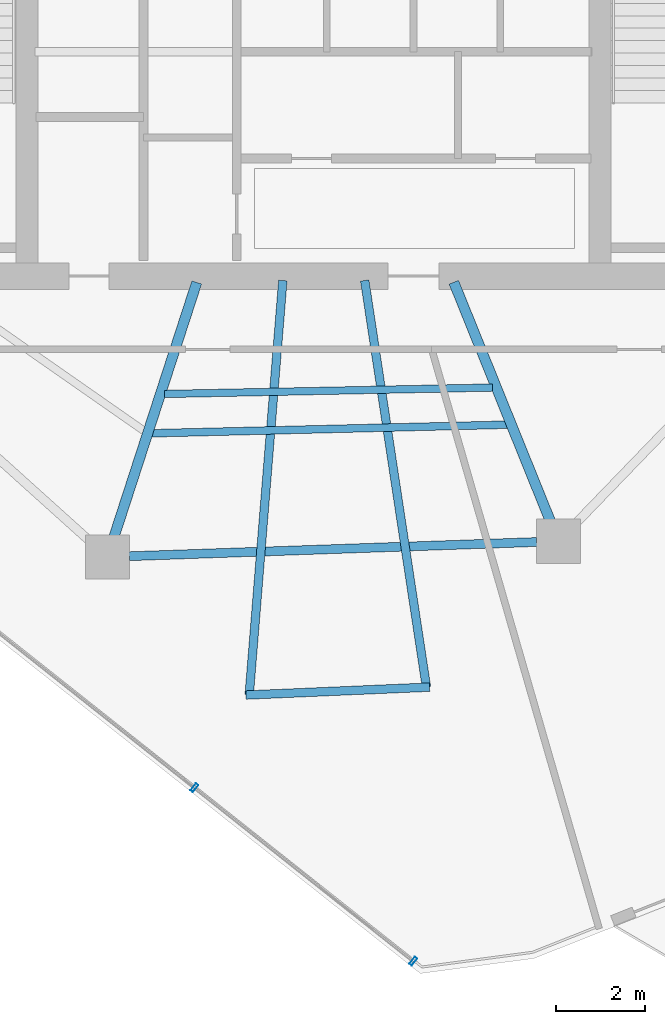
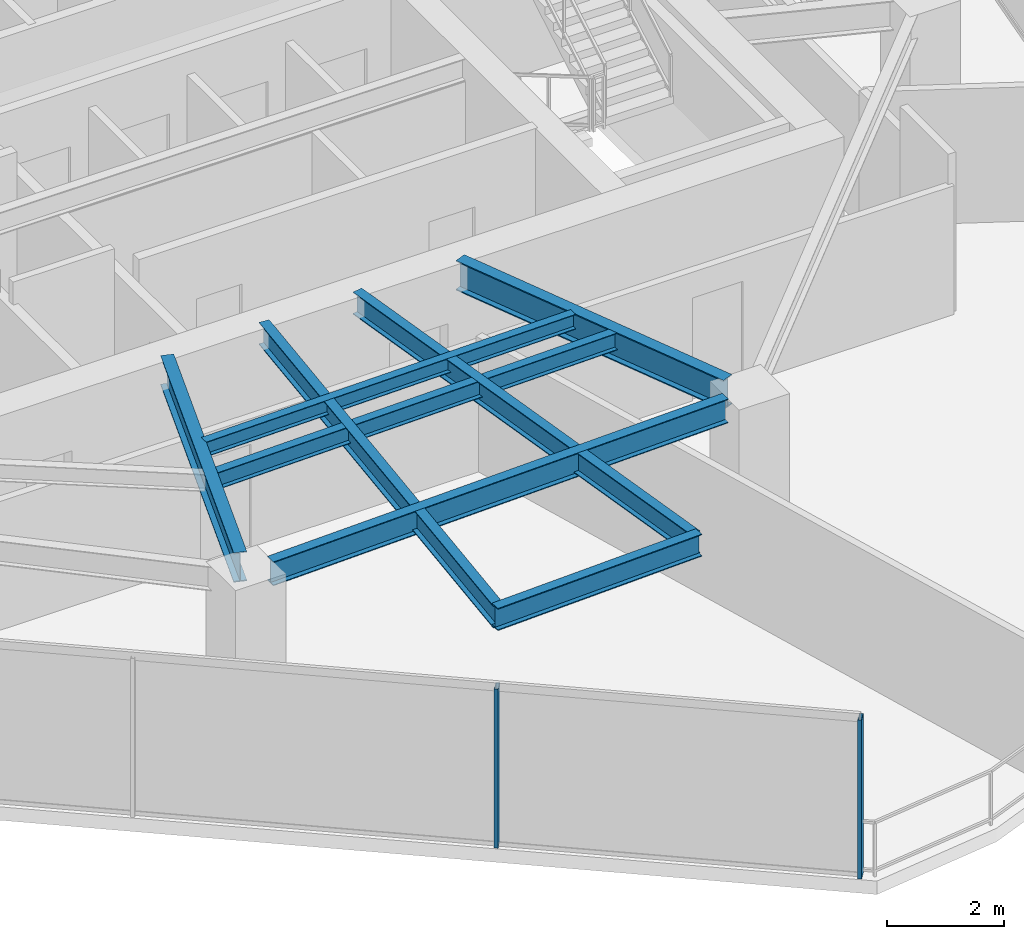
# One storey, part 4 of 20: 8 beams, 2 members, 1 element without a shape of its own.
"""IFC4 building model written with IfcOpenShell, lengths in metres."""

import ifcopenshell
import ifcopenshell.guid

model = None  # the IFC model being written
_history = None  # IfcOwnerHistory: only IFC2X3 demands one
_inside = {}  # id of a spatial element -> (the spatial element, [elements in it])
_under = {}  # id of a project, library or spatial element -> (it, [spatial elements below it])
_declared = {}  # id of a project -> (the project, [libraries it declares])
_typed = {}  # id of a type object -> (the type object, [elements of that type])
_made_of = {}  # id of a material, layer set ... -> (it, [elements and type objects made of it])


def new_model(schema):
    """Start an empty IFC model of exactly this schema.

    Asked for "IFC4X3", IfcOpenShell would pick the latest addendum, in which some entities
    have other attributes; the version numbers below select the first issue.
    IFC2X3 requires an IfcOwnerHistory on every rooted entity: one is made here for all.
    """
    global model, _history
    if schema == "IFC4X3":
        model = ifcopenshell.file(schema_version=(4, 3, 0, 0))
    else:
        model = ifcopenshell.file(schema=schema)
    _inside.clear()
    _under.clear()
    _declared.clear()
    _typed.clear()
    _made_of.clear()
    _history = None
    if model.schema == "IFC2X3":
        org = make("IfcOrganization", Name="unknown")
        user = make(
            "IfcPersonAndOrganization",
            ThePerson=make("IfcPerson", FamilyName="unknown"),
            TheOrganization=org,
        )
        app = make(
            "IfcApplication",
            ApplicationDeveloper=org,
            Version="unknown",
            ApplicationFullName="unknown",
            ApplicationIdentifier="unknown",
        )
        _history = make(
            "IfcOwnerHistory",
            OwningUser=user,
            OwningApplication=app,
            ChangeAction="ADDED",
            CreationDate=0,
        )
    return model


def make(cls, **values):
    """One entity of the class cls with the attributes given. An attribute that is None is left unset."""
    return model.create_entity(
        cls, **{name: value for name, value in values.items() if value is not None}
    )


def rooted(cls, **values):
    """An entity with a GlobalId (a new one), such as an element, a storey or a relation."""
    return make(cls, GlobalId=ifcopenshell.guid.new(), OwnerHistory=_history, **values)


def si_unit(unit_type, name, prefix=None):
    """IfcSIUnit, for example si_unit("LENGTHUNIT", "METRE", prefix="MILLI")."""
    return make("IfcSIUnit", UnitType=unit_type, Prefix=prefix, Name=name)


def assignment(units):
    """IfcUnitAssignment: the units of a project."""
    return None if units is None else make("IfcUnitAssignment", Units=units)


def point(xyz):
    """IfcCartesianPoint."""
    return None if xyz is None else make("IfcCartesianPoint", Coordinates=xyz)


def direction(xyz):
    """IfcDirection."""
    return None if xyz is None else make("IfcDirection", DirectionRatios=xyz)


def frame(location, z_axis=None, x_axis=None):
    """IfcAxis2Placement3D, a coordinate frame: its origin and axes. An axis left out is left unset."""
    return make(
        "IfcAxis2Placement3D",
        Location=point(location),
        Axis=direction(z_axis),
        RefDirection=direction(x_axis),
    )


def frame_2d(location, x_axis=None):
    """IfcAxis2Placement2D, a coordinate frame in the plane: its origin and x axis."""
    return make(
        "IfcAxis2Placement2D", Location=point(location), RefDirection=direction(x_axis)
    )


def origin():
    """The frame at (0, 0, 0) with its axes left unset."""
    return frame((0.0, 0.0, 0.0))


def origin_2d():
    """The frame at (0, 0) in the plane with its x axis left unset."""
    return frame_2d((0.0, 0.0))


def place(relative_to, where):
    """IfcLocalPlacement: puts the frame where relative to a parent placement (None: the world)."""
    return make(
        "IfcLocalPlacement", PlacementRelTo=relative_to, RelativePlacement=where
    )


def context(
    kind, dimensions, precision=None, world=None, true_north=None, identifier=None
):
    """IfcGeometricRepresentationContext, for example the 3D "Model" context."""
    return make(
        "IfcGeometricRepresentationContext",
        ContextIdentifier=identifier,
        ContextType=kind,
        CoordinateSpaceDimension=dimensions,
        Precision=precision,
        WorldCoordinateSystem=world,
        TrueNorth=true_north,
    )


def subcontext(parent, identifier, kind, view, scale=None):
    """IfcGeometricRepresentationSubContext, for example "Body" below "Model"."""
    return make(
        "IfcGeometricRepresentationSubContext",
        ContextIdentifier=identifier,
        ContextType=kind,
        ParentContext=parent,
        TargetScale=scale,
        TargetView=view,
    )


def project(units=None, contexts=None):
    """IfcProject with its units and contexts."""
    return rooted(
        "IfcProject",
        Name="project",
        RepresentationContexts=contexts,
        UnitsInContext=assignment(units),
    )


def spatial(cls, under=None, at=None, **own):
    """A site, building, storey or space (cls), placed at a placement, below another one or the project."""
    s = rooted(cls, ObjectPlacement=at, **own)
    if under is not None:
        _under.setdefault(under.id(), (under, []))[1].append(s)
    return s


def profile(cls, at=None, kind="AREA", **sizes):
    """A parametric profile (cls). Its sizes go by their IFC names, for example OverallWidth=200.0."""
    return make(cls, ProfileType=kind, Position=at, **sizes)


def hollow_rectangle(**sizes):
    """IfcRectangleHollowProfileDef."""
    return profile("IfcRectangleHollowProfileDef", **sizes)


def i_section(**sizes):
    """IfcIShapeProfileDef."""
    return profile("IfcIShapeProfileDef", **sizes)


def extrude(swept, where, along, depth):
    """IfcExtrudedAreaSolid: the profile swept, set in the frame where, extruded along a direction by depth."""
    return make(
        "IfcExtrudedAreaSolid",
        SweptArea=swept,
        Position=where,
        ExtrudedDirection=direction(along),
        Depth=depth,
    )


def shape(context_of_items, identifier, shape_type, items):
    """IfcShapeRepresentation: the items that make up one representation, for example the "Body"."""
    return make(
        "IfcShapeRepresentation",
        ContextOfItems=context_of_items,
        RepresentationIdentifier=identifier,
        RepresentationType=shape_type,
        Items=items,
    )


def material(Name=None, Category=None):
    """IfcMaterial."""
    return make("IfcMaterial", Name=Name, Category=Category)


def layer(
    of_material, thickness, ventilated=None, Name=None, Category=None, Priority=None
):
    """IfcMaterialLayer: one layer of a wall or slab, of a material (None: an air gap)."""
    return make(
        "IfcMaterialLayer",
        Material=of_material,
        LayerThickness=thickness,
        IsVentilated=ventilated,
        Name=Name,
        Category=Category,
        Priority=Priority,
    )


def layer_set(layers, Name=None):
    """IfcMaterialLayerSet."""
    return make("IfcMaterialLayerSet", MaterialLayers=layers, LayerSetName=Name)


def material_profile(
    of_material, cross_section, Name=None, Category=None, Priority=None
):
    """IfcMaterialProfile: a cross section and its material."""
    return make(
        "IfcMaterialProfile",
        Name=Name,
        Material=of_material,
        Profile=cross_section,
        Priority=Priority,
        Category=Category,
    )


def profile_set(profiles, Name=None, composite=None):
    """IfcMaterialProfileSet."""
    return make(
        "IfcMaterialProfileSet",
        Name=Name,
        MaterialProfiles=profiles,
        CompositeProfile=composite,
    )


def made_of(thing, what):
    """Note that an element or type object is made of a material, layer set ...; save() writes the relation."""
    if what is not None:
        _made_of.setdefault(what.id(), (what, []))[1].append(thing)
    return thing


def type_object(cls, material=None, **own):
    """A type object (cls), such as IfcWallType, which elements share."""
    return made_of(rooted(cls, **own), material)


def element(
    cls,
    number,
    at=None,
    inside=None,
    cuts=None,
    type_object=None,
    material=None,
    context=None,
    identifier="Body",
    shape_type=None,
    held_by="IfcProductDefinitionShape",
    body=None,
    shapes=None,
    **own,
):
    """One element of the class cls, such as IfcWall. Its Tag is "e" and its number.

    at: its placement. inside: the storey or other place that contains it. cuts: it is an
    opening in that element (IfcRelVoidsElement). A single representation is given by context,
    identifier, shape_type and body (its items); several are given by shapes. held_by: the class
    of the entity that holds the representations. save() writes the other relations.
    """
    e = rooted(cls, Tag="e%d" % number, ObjectPlacement=at, **own)
    if body is not None:
        shapes = [shape(context, identifier, shape_type, body)]
    if shapes is not None:
        e.Representation = make(held_by, Representations=shapes)
    if inside is not None:
        _inside.setdefault(inside.id(), (inside, []))[1].append(e)
    if cuts is not None:
        rooted(
            "IfcRelVoidsElement", RelatingBuildingElement=cuts, RelatedOpeningElement=e
        )
    if type_object is not None:
        _typed.setdefault(type_object.id(), (type_object, []))[1].append(e)
    return made_of(e, material)


def aggregate(whole, parts):
    """IfcRelAggregates: a whole, such as a stair, and the parts it consists of."""
    return rooted("IfcRelAggregates", RelatingObject=whole, RelatedObjects=parts)


def save(model, path):
    """Write the relations noted so far, then the file.

    IfcRelAggregates (storeys below a building ...), IfcRelContainedInSpatialStructure (elements
    in a storey), IfcRelDefinesByType, IfcRelAssociatesMaterial and IfcRelDeclares: one each for
    every whole, place, type object, material and project.
    """
    for whole, parts in _under.values():
        aggregate(whole, parts)
    for where, things in _inside.values():
        rooted(
            "IfcRelContainedInSpatialStructure",
            RelatedElements=things,
            RelatingStructure=where,
        )
    for kind, things in _typed.values():
        rooted("IfcRelDefinesByType", RelatedObjects=things, RelatingType=kind)
    for what, things in _made_of.values():
        rooted("IfcRelAssociatesMaterial", RelatedObjects=things, RelatingMaterial=what)
    for by, libraries in _declared.values():
        rooted("IfcRelDeclares", RelatingContext=by, RelatedDefinitions=libraries)
    model.write(path)


model = new_model("IFC4")

# Units and contexts
model_context = context("Model", 3, precision=1e-05, world=origin(), true_north=direction((0.0, 1.0)))
body_context = subcontext(model_context, "Body", "Model", "MODEL_VIEW")
ifc_project = project(units=[si_unit("LENGTHUNIT", "METRE"), si_unit("AREAUNIT", "SQUARE_METRE"), si_unit("VOLUMEUNIT", "CUBIC_METRE"), si_unit("PLANEANGLEUNIT", "RADIAN"), si_unit("MASSUNIT", "GRAM", prefix="KILO")], contexts=[model_context])

# Site, building, storey
site_placement = place(None, origin())
site = spatial("IfcSite", under=ifc_project, at=site_placement, CompositionType="ELEMENT")
building_placement = place(site_placement, origin())
building = spatial("IfcBuilding", under=site, at=building_placement, Name="Qarnah Convention Tower", CompositionType="ELEMENT")
storey_placement = place(building_placement, frame((0.0, 0.0, 147.300048828125)))
storey = spatial("IfcBuildingStorey", under=building, at=storey_placement, Name="L39", CompositionType="ELEMENT", Elevation=147.300048828125)

# Beams
ifc_material_1 = material(Name="Structural steel S355JR", Category="steel")
ifc_material_profile_1 = material_profile(ifc_material_1, i_section(OverallWidth=0.19189453125, OverallDepth=0.464111328125, WebThickness=0.010986328125, FlangeThickness=0.01806640625, at=origin_2d()), Name="W460X89")
ifc_profile_set_1 = profile_set([ifc_material_profile_1], Name="Structural steel S355JR")
beam_type_1 = type_object("IfcBeamType", Name="BM-CANT-W460A", PredefinedType="BEAM", material=ifc_profile_set_1)
beam_1_placement = place(storey_placement, frame((38.40087890625, 18.5009765625, 3.087890625), z_axis=(0.150195006727, -0.988656391247, 0.0), x_axis=(0.988656391247, 0.150195006727, 0.0)))
element("IfcBeam", 1, at=beam_1_placement, inside=storey, type_object=beam_type_1, Name="L39 beam BM-L39-CNT-03-1", PredefinedType="BEAM", context=body_context, shape_type="SweptSolid", body=[
    extrude(i_section(OverallWidth=0.19189453125, OverallDepth=0.464111328125, WebThickness=0.010986328125, FlangeThickness=0.01806640625, at=origin_2d()), origin(), (0.0, 0.0, 1.0), 9.261962890625),
])
beam_2_placement = place(storey_placement, frame((36.55810546875, 18.5, 3.087890625), z_axis=(-0.080897121946, -0.996722456685, 0.0), x_axis=(0.996722456685, -0.080897121946, 0.0)))
element("IfcBeam", 2, at=beam_2_placement, inside=storey, type_object=beam_type_1, Name="L39 beam BM-L39-CNT-03-2", PredefinedType="BEAM", context=body_context, shape_type="SweptSolid", body=[
    extrude(i_section(OverallWidth=0.19189453125, OverallDepth=0.464111328125, WebThickness=0.010986328125, FlangeThickness=0.01806640625, at=origin_2d()), origin(), (0.0, 0.0, 1.0), 9.358642578125),
])
beam_3_placement = place(storey_placement, frame((39.862060546875, 9.346923828125, 3.087890625), z_axis=(-0.999073236436, -0.043042632785, 0.0), x_axis=(0.043042632785, -0.999073236436, 0.0)))
element("IfcBeam", 3, at=beam_3_placement, inside=storey, type_object=beam_type_1, Name="L39 spandrel BM-L39-CTIE-03", PredefinedType="SPANDREL", context=body_context, shape_type="SweptSolid", body=[
    extrude(i_section(OverallWidth=0.19189453125, OverallDepth=0.464111328125, WebThickness=0.010986328125, FlangeThickness=0.01806640625, at=origin_2d()), origin(), (0.0, 0.0, 1.0), 4.135009765625),
])
ifc_material_profile_2 = material_profile(ifc_material_1, i_section(OverallWidth=0.166015625, OverallDepth=0.31201171875, WebThickness=0.007080078125, FlangeThickness=0.010986328125, at=origin_2d()), Name="W310X45")
ifc_profile_set_2 = profile_set([ifc_material_profile_2], Name="Structural steel S355JR")
beam_type_2 = type_object("IfcBeamType", Name="BM-JST-W310", PredefinedType="JOIST", material=ifc_profile_set_2)
beam_4_placement = place(storey_placement, frame((33.89306640625, 15.946044921875, 3.1640625), z_axis=(0.999807032835, 0.019644263612, 0.0), x_axis=(-0.019644263612, 0.999807032835, 0.0)))
element("IfcBeam", 4, at=beam_4_placement, inside=storey, type_object=beam_type_2, Name="L39 joist BM-L39-IJST-07", PredefinedType="JOIST", context=body_context, shape_type="SweptSolid", body=[
    extrude(i_section(OverallWidth=0.166015625, OverallDepth=0.31201171875, WebThickness=0.007080078125, FlangeThickness=0.010986328125, at=origin_2d()), origin(), (0.0, 0.0, 1.0), 7.38232421875),
])
ifc_material_profile_3 = material_profile(ifc_material_1, i_section(OverallWidth=0.172119140625, OverallDepth=0.35595703125, WebThickness=0.007080078125, FlangeThickness=0.011962890625, at=origin_2d()), Name="W360X51")
ifc_profile_set_3 = profile_set([ifc_material_profile_3], Name="Structural steel S355JR")
beam_type_3 = type_object("IfcBeamType", Name="BM-JST-W360", PredefinedType="JOIST", material=ifc_profile_set_3)
beam_5_placement = place(storey_placement, frame((33.60498046875, 15.06103515625, 3.141845703125), z_axis=(0.999707078051, 0.024202439856, 0.0), x_axis=(-0.024202439856, 0.999707078051, 0.0)))
element("IfcBeam", 5, at=beam_5_placement, inside=storey, type_object=beam_type_3, Name="L39 joist BM-L39-SJST-07", PredefinedType="JOIST", context=body_context, shape_type="SweptSolid", body=[
    extrude(i_section(OverallWidth=0.172119140625, OverallDepth=0.35595703125, WebThickness=0.007080078125, FlangeThickness=0.011962890625, at=origin_2d()), origin(), (0.0, 0.0, 1.0), 8.009521484375),
])
ifc_material_profile_4 = material_profile(ifc_material_1, i_section(OverallWidth=0.22998046875, OverallDepth=0.617919921875, WebThickness=0.012939453125, FlangeThickness=0.02197265625, at=origin_2d()), Name="W610X140")
ifc_profile_set_4 = profile_set([ifc_material_profile_4], Name="Structural steel S355JR")
beam_type_4 = type_object("IfcBeamType", Name="BM-RAD-W610A", PredefinedType="BEAM", material=ifc_profile_set_4)
beam_6_placement = place(storey_placement, frame((34.6201171875, 18.45703125, 3.010986328125), z_axis=(-0.30919796314, -0.950997696942, 0.0), x_axis=(0.950997696942, -0.30919796314, 0.0)))
element("IfcBeam", 6, at=beam_6_placement, inside=storey, type_object=beam_type_4, Name="L39 beam BM-L39-RAD-07", PredefinedType="BEAM", context=body_context, shape_type="SweptSolid", body=[
    extrude(i_section(OverallWidth=0.22998046875, OverallDepth=0.617919921875, WebThickness=0.012939453125, FlangeThickness=0.02197265625, at=origin_2d()), origin(), (0.0, 0.0, 1.0), 6.01904296875),
])
beam_7_placement = place(storey_placement, frame((40.406982421875, 18.4609375, 3.010986328125), z_axis=(0.374656949885, -0.927163507642, 0.0), x_axis=(0.927163507642, 0.374656949885, 0.0)))
element("IfcBeam", 7, at=beam_7_placement, inside=storey, type_object=beam_type_4, Name="L39 beam BM-L39-RAD-08", PredefinedType="BEAM", context=body_context, shape_type="SweptSolid", body=[
    extrude(i_section(OverallWidth=0.22998046875, OverallDepth=0.617919921875, WebThickness=0.012939453125, FlangeThickness=0.02197265625, at=origin_2d()), origin(), (0.0, 0.0, 1.0), 5.80810546875),
])
ifc_material_profile_5 = material_profile(ifc_material_1, i_section(OverallWidth=0.199951171875, OverallDepth=0.5, WebThickness=0.010009765625, FlangeThickness=0.01611328125, at=origin_2d()), Name="IPE500")
ifc_profile_set_5 = profile_set([ifc_material_profile_5], Name="Structural steel S355JR")
beam_type_5 = type_object("IfcBeamType", Name="BM-SPN-IPE500", PredefinedType="SPANDREL", material=ifc_profile_set_5)
beam_8_placement = place(storey_placement, frame((33.10107421875, 12.2939453125, 3.070068359375), z_axis=(0.999391665003, 0.034875491717, 0.0), x_axis=(-0.034875491717, 0.999391665003, 0.0)))
element("IfcBeam", 8, at=beam_8_placement, inside=storey, type_object=beam_type_5, Name="L39 spandrel BM-L39-SPN-07", PredefinedType="SPANDREL", context=body_context, shape_type="SweptSolid", body=[
    extrude(i_section(OverallWidth=0.199951171875, OverallDepth=0.5, WebThickness=0.010009765625, FlangeThickness=0.01611328125, at=origin_2d()), origin(), (0.0, 0.0, 1.0), 9.177490234375),
])

# Curtain wall, members
ifc_material_2 = material(Name="Tempered Low-E dark glass", Category="glass")
ifc_layer = layer(ifc_material_2, 0.172119140625)
ifc_layer_set = layer_set([ifc_layer], Name="Tempered Low-E dark glass")
curtain_wall_type = type_object("IfcCurtainWallType", Name="CWS-03", PredefinedType="NOTDEFINED", material=ifc_layer_set)
curtain_wall_placement = place(storey_placement, origin())
curtain_wall = element("IfcCurtainWall", 9, at=curtain_wall_placement, inside=storey, type_object=curtain_wall_type, Name="L39 unitised curtain wall CW-L39-F2", PredefinedType="NOTDEFINED")
ifc_material_3 = material(Name="Black anodised aluminium", Category="aluminium")
ifc_material_profile_6 = material_profile(ifc_material_3, hollow_rectangle(XDim=0.070068359375, YDim=0.199951171875, WallThickness=0.0048828125, at=origin_2d()), Name="MUL-70X200")
ifc_profile_set_6 = profile_set([ifc_material_profile_6], Name="Black anodised aluminium")
member_type = type_object("IfcMemberType", Name="MUL-T3", PredefinedType="MULLION", material=ifc_profile_set_6)
member_1_placement = place(storey_placement, frame((39.493896484375, 3.179931640625, 0.0), z_axis=(0.0, 0.0, 1.0), x_axis=(-0.783688882371, 0.621153552391, 0.0)))
member_1 = element("IfcMember", 10, at=member_1_placement, type_object=member_type, Name="CW-L39-F2 mullion 1", PredefinedType="MULLION", context=body_context, shape_type="SweptSolid", body=[
    extrude(hollow_rectangle(XDim=0.070068359375, YDim=0.199951171875, WallThickness=0.0048828125, at=origin_2d()), origin(), (0.0, 0.0, 1.0), 3.320068359375),
])
member_2_placement = place(storey_placement, frame((34.568115234375, 7.084228515625, 0.0), z_axis=(0.0, 0.0, 1.0), x_axis=(-0.783688882371, 0.621153552391, 0.0)))
member_2 = element("IfcMember", 11, at=member_2_placement, type_object=member_type, Name="CW-L39-F2 mullion 2", PredefinedType="MULLION", context=body_context, shape_type="SweptSolid", body=[
    extrude(hollow_rectangle(XDim=0.070068359375, YDim=0.199951171875, WallThickness=0.0048828125, at=origin_2d()), origin(), (0.0, 0.0, 1.0), 3.320068359375),
])
aggregate(curtain_wall, [member_1, member_2])

save(model, "model.ifc")
